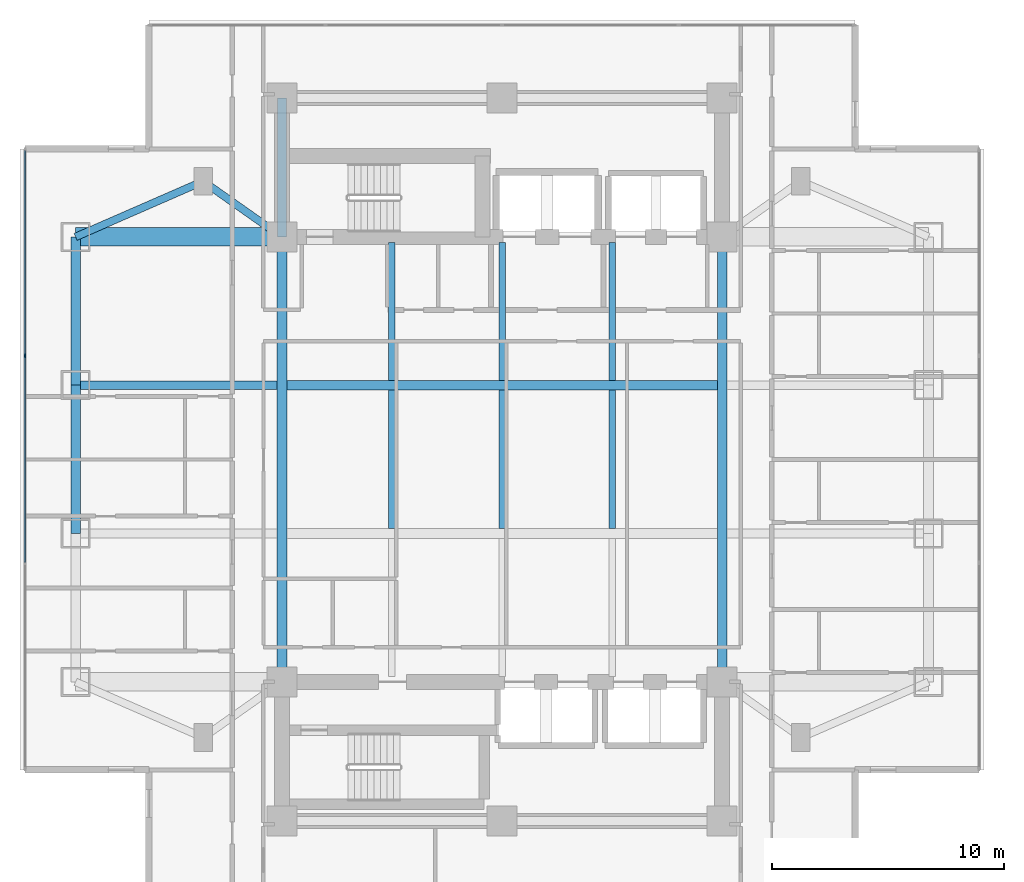
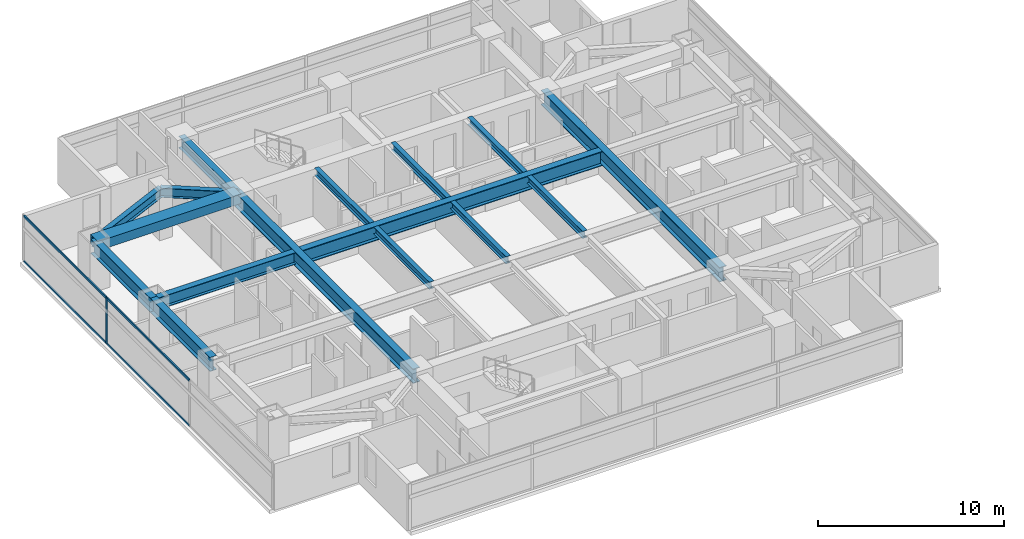
# One storey, part 3 of 27: 16 beams, 5 members, 1 element without a shape of its own.
"""IFC4 building model written with IfcOpenShell, lengths in metres."""

import ifcopenshell
import ifcopenshell.guid

model = None  # the IFC model being written
_history = None  # IfcOwnerHistory: only IFC2X3 demands one
_inside = {}  # id of a spatial element -> (the spatial element, [elements in it])
_under = {}  # id of a project, library or spatial element -> (it, [spatial elements below it])
_declared = {}  # id of a project -> (the project, [libraries it declares])
_typed = {}  # id of a type object -> (the type object, [elements of that type])
_made_of = {}  # id of a material, layer set ... -> (it, [elements and type objects made of it])


def new_model(schema):
    """Start an empty IFC model of exactly this schema.

    Asked for "IFC4X3", IfcOpenShell would pick the latest addendum, in which some entities
    have other attributes; the version numbers below select the first issue.
    IFC2X3 requires an IfcOwnerHistory on every rooted entity: one is made here for all.
    """
    global model, _history
    if schema == "IFC4X3":
        model = ifcopenshell.file(schema_version=(4, 3, 0, 0))
    else:
        model = ifcopenshell.file(schema=schema)
    _inside.clear()
    _under.clear()
    _declared.clear()
    _typed.clear()
    _made_of.clear()
    _history = None
    if model.schema == "IFC2X3":
        org = make("IfcOrganization", Name="unknown")
        user = make(
            "IfcPersonAndOrganization",
            ThePerson=make("IfcPerson", FamilyName="unknown"),
            TheOrganization=org,
        )
        app = make(
            "IfcApplication",
            ApplicationDeveloper=org,
            Version="unknown",
            ApplicationFullName="unknown",
            ApplicationIdentifier="unknown",
        )
        _history = make(
            "IfcOwnerHistory",
            OwningUser=user,
            OwningApplication=app,
            ChangeAction="ADDED",
            CreationDate=0,
        )
    return model


def make(cls, **values):
    """One entity of the class cls with the attributes given. An attribute that is None is left unset."""
    return model.create_entity(
        cls, **{name: value for name, value in values.items() if value is not None}
    )


def rooted(cls, **values):
    """An entity with a GlobalId (a new one), such as an element, a storey or a relation."""
    return make(cls, GlobalId=ifcopenshell.guid.new(), OwnerHistory=_history, **values)


def si_unit(unit_type, name, prefix=None):
    """IfcSIUnit, for example si_unit("LENGTHUNIT", "METRE", prefix="MILLI")."""
    return make("IfcSIUnit", UnitType=unit_type, Prefix=prefix, Name=name)


def assignment(units):
    """IfcUnitAssignment: the units of a project."""
    return None if units is None else make("IfcUnitAssignment", Units=units)


def point(xyz):
    """IfcCartesianPoint."""
    return None if xyz is None else make("IfcCartesianPoint", Coordinates=xyz)


def direction(xyz):
    """IfcDirection."""
    return None if xyz is None else make("IfcDirection", DirectionRatios=xyz)


def frame(location, z_axis=None, x_axis=None):
    """IfcAxis2Placement3D, a coordinate frame: its origin and axes. An axis left out is left unset."""
    return make(
        "IfcAxis2Placement3D",
        Location=point(location),
        Axis=direction(z_axis),
        RefDirection=direction(x_axis),
    )


def frame_2d(location, x_axis=None):
    """IfcAxis2Placement2D, a coordinate frame in the plane: its origin and x axis."""
    return make(
        "IfcAxis2Placement2D", Location=point(location), RefDirection=direction(x_axis)
    )


def origin():
    """The frame at (0, 0, 0) with its axes left unset."""
    return frame((0.0, 0.0, 0.0))


def origin_2d():
    """The frame at (0, 0) in the plane with its x axis left unset."""
    return frame_2d((0.0, 0.0))


def place(relative_to, where):
    """IfcLocalPlacement: puts the frame where relative to a parent placement (None: the world)."""
    return make(
        "IfcLocalPlacement", PlacementRelTo=relative_to, RelativePlacement=where
    )


def context(
    kind, dimensions, precision=None, world=None, true_north=None, identifier=None
):
    """IfcGeometricRepresentationContext, for example the 3D "Model" context."""
    return make(
        "IfcGeometricRepresentationContext",
        ContextIdentifier=identifier,
        ContextType=kind,
        CoordinateSpaceDimension=dimensions,
        Precision=precision,
        WorldCoordinateSystem=world,
        TrueNorth=true_north,
    )


def subcontext(parent, identifier, kind, view, scale=None):
    """IfcGeometricRepresentationSubContext, for example "Body" below "Model"."""
    return make(
        "IfcGeometricRepresentationSubContext",
        ContextIdentifier=identifier,
        ContextType=kind,
        ParentContext=parent,
        TargetScale=scale,
        TargetView=view,
    )


def project(units=None, contexts=None):
    """IfcProject with its units and contexts."""
    return rooted(
        "IfcProject",
        Name="project",
        RepresentationContexts=contexts,
        UnitsInContext=assignment(units),
    )


def spatial(cls, under=None, at=None, **own):
    """A site, building, storey or space (cls), placed at a placement, below another one or the project."""
    s = rooted(cls, ObjectPlacement=at, **own)
    if under is not None:
        _under.setdefault(under.id(), (under, []))[1].append(s)
    return s


def profile(cls, at=None, kind="AREA", **sizes):
    """A parametric profile (cls). Its sizes go by their IFC names, for example OverallWidth=200.0."""
    return make(cls, ProfileType=kind, Position=at, **sizes)


def rectangle(**sizes):
    """IfcRectangleProfileDef."""
    return profile("IfcRectangleProfileDef", **sizes)


def i_section(**sizes):
    """IfcIShapeProfileDef."""
    return profile("IfcIShapeProfileDef", **sizes)


def extrude(swept, where, along, depth):
    """IfcExtrudedAreaSolid: the profile swept, set in the frame where, extruded along a direction by depth."""
    return make(
        "IfcExtrudedAreaSolid",
        SweptArea=swept,
        Position=where,
        ExtrudedDirection=direction(along),
        Depth=depth,
    )


def shape(context_of_items, identifier, shape_type, items):
    """IfcShapeRepresentation: the items that make up one representation, for example the "Body"."""
    return make(
        "IfcShapeRepresentation",
        ContextOfItems=context_of_items,
        RepresentationIdentifier=identifier,
        RepresentationType=shape_type,
        Items=items,
    )


def material(Name=None, Category=None):
    """IfcMaterial."""
    return make("IfcMaterial", Name=Name, Category=Category)


def material_profile(
    of_material, cross_section, Name=None, Category=None, Priority=None
):
    """IfcMaterialProfile: a cross section and its material."""
    return make(
        "IfcMaterialProfile",
        Name=Name,
        Material=of_material,
        Profile=cross_section,
        Priority=Priority,
        Category=Category,
    )


def profile_set(profiles, Name=None, composite=None):
    """IfcMaterialProfileSet."""
    return make(
        "IfcMaterialProfileSet",
        Name=Name,
        MaterialProfiles=profiles,
        CompositeProfile=composite,
    )


def made_of(thing, what):
    """Note that an element or type object is made of a material, layer set ...; save() writes the relation."""
    if what is not None:
        _made_of.setdefault(what.id(), (what, []))[1].append(thing)
    return thing


def type_object(cls, material=None, **own):
    """A type object (cls), such as IfcWallType, which elements share."""
    return made_of(rooted(cls, **own), material)


def element(
    cls,
    number,
    at=None,
    inside=None,
    cuts=None,
    type_object=None,
    material=None,
    context=None,
    identifier="Body",
    shape_type=None,
    held_by="IfcProductDefinitionShape",
    body=None,
    shapes=None,
    **own,
):
    """One element of the class cls, such as IfcWall. Its Tag is "e" and its number.

    at: its placement. inside: the storey or other place that contains it. cuts: it is an
    opening in that element (IfcRelVoidsElement). A single representation is given by context,
    identifier, shape_type and body (its items); several are given by shapes. held_by: the class
    of the entity that holds the representations. save() writes the other relations.
    """
    e = rooted(cls, Tag="e%d" % number, ObjectPlacement=at, **own)
    if body is not None:
        shapes = [shape(context, identifier, shape_type, body)]
    if shapes is not None:
        e.Representation = make(held_by, Representations=shapes)
    if inside is not None:
        _inside.setdefault(inside.id(), (inside, []))[1].append(e)
    if cuts is not None:
        rooted(
            "IfcRelVoidsElement", RelatingBuildingElement=cuts, RelatedOpeningElement=e
        )
    if type_object is not None:
        _typed.setdefault(type_object.id(), (type_object, []))[1].append(e)
    return made_of(e, material)


def aggregate(whole, parts):
    """IfcRelAggregates: a whole, such as a stair, and the parts it consists of."""
    return rooted("IfcRelAggregates", RelatingObject=whole, RelatedObjects=parts)


def save(model, path):
    """Write the relations noted so far, then the file.

    IfcRelAggregates (storeys below a building ...), IfcRelContainedInSpatialStructure (elements
    in a storey), IfcRelDefinesByType, IfcRelAssociatesMaterial and IfcRelDeclares: one each for
    every whole, place, type object, material and project.
    """
    for whole, parts in _under.values():
        aggregate(whole, parts)
    for where, things in _inside.values():
        rooted(
            "IfcRelContainedInSpatialStructure",
            RelatedElements=things,
            RelatingStructure=where,
        )
    for kind, things in _typed.values():
        rooted("IfcRelDefinesByType", RelatedObjects=things, RelatingType=kind)
    for what, things in _made_of.values():
        rooted("IfcRelAssociatesMaterial", RelatedObjects=things, RelatingMaterial=what)
    for by, libraries in _declared.values():
        rooted("IfcRelDeclares", RelatingContext=by, RelatedDefinitions=libraries)
    model.write(path)


model = new_model("IFC4")

# Units and contexts
model_context = context("Model", 3, precision=1e-05, world=origin(), true_north=direction((0.0, 1.0)))
body_context = subcontext(model_context, "Body", "Model", "MODEL_VIEW")
ifc_project = project(units=[si_unit("LENGTHUNIT", "METRE"), si_unit("AREAUNIT", "SQUARE_METRE"), si_unit("VOLUMEUNIT", "CUBIC_METRE"), si_unit("PLANEANGLEUNIT", "RADIAN"), si_unit("MASSUNIT", "GRAM", prefix="KILO")], contexts=[model_context])

# Site, building, storey
site_placement = place(None, origin())
site = spatial("IfcSite", under=ifc_project, at=site_placement, CompositionType="ELEMENT")
building_placement = place(site_placement, origin())
building = spatial("IfcBuilding", under=site, at=building_placement, Name="Mirazonda Arch Towers", CompositionType="ELEMENT")
storey_placement = place(building_placement, frame((0.0, 0.0, 52.10009765625)))
storey = spatial("IfcBuildingStorey", under=building, at=storey_placement, Name="L14", CompositionType="ELEMENT", Elevation=52.10009765625)

# Beams
ifc_material_1 = material(Name="Steel ASTM A992 Grade 50", Category="steel")
ifc_material_profile_1 = material_profile(ifc_material_1, i_section(OverallWidth=0.41796875, OverallDepth=0.927001953125, WebThickness=0.019287109375, FlangeThickness=0.031982421875, at=origin_2d()), Name="W36X231")
ifc_profile_set_1 = profile_set([ifc_material_profile_1], Name="Steel ASTM A992 Grade 50")
beam_type_1 = type_object("IfcBeamType", Name="BM-EXT-W36X231", PredefinedType="USERDEFINED", material=ifc_profile_set_1)
beam_1_placement = place(storey_placement, frame((2.10009765625, 24.800048828125, 2.596435546875), z_axis=(0.0, 1.0, 0.0), x_axis=(-1.0, 0.0, 0.0)))
element("IfcBeam", 1, at=beam_1_placement, inside=storey, type_object=beam_type_1, Name="L14 Floor Beam BM-T1-L14-NS-W-24", ObjectType="GIRDER", PredefinedType="USERDEFINED", context=body_context, shape_type="SweptSolid", body=[
    extrude(i_section(OverallWidth=0.41796875, OverallDepth=0.927001953125, WebThickness=0.019287109375, FlangeThickness=0.031982421875, at=origin_2d()), origin(), (0.0, 0.0, 1.0), 6.39990234375),
])
beam_2_placement = place(storey_placement, frame((2.10009765625, 31.199951171875, 2.596435546875), z_axis=(0.0, 1.0, 0.0), x_axis=(-1.0, 0.0, 0.0)))
element("IfcBeam", 2, at=beam_2_placement, inside=storey, type_object=beam_type_1, Name="L14 Floor Beam BM-T1-L14-NS-W-31", ObjectType="GIRDER", PredefinedType="USERDEFINED", context=body_context, shape_type="SweptSolid", body=[
    extrude(i_section(OverallWidth=0.41796875, OverallDepth=0.927001953125, WebThickness=0.019287109375, FlangeThickness=0.031982421875, at=origin_2d()), origin(), (0.0, 0.0, 1.0), 6.400146484375),
])
ifc_material_profile_2 = material_profile(ifc_material_1, i_section(OverallWidth=0.280029296875, OverallDepth=0.462890625, WebThickness=0.0107421875, FlangeThickness=0.017333984375, at=origin_2d()), Name="W18X76")
ifc_profile_set_2 = profile_set([ifc_material_profile_2], Name="Steel ASTM A992 Grade 50")
beam_type_2 = type_object("IfcBeamType", Name="BM-INT-W18X76", PredefinedType="JOIST", material=ifc_profile_set_2)
beam_3_placement = place(storey_placement, frame((15.75, 31.407470703125, 2.828369140625), z_axis=(0.0, 1.0, 0.0), x_axis=(-1.0, 0.0, 0.0)))
element("IfcBeam", 3, at=beam_3_placement, inside=storey, type_object=beam_type_2, Name="L14 Floor Beam BM-T1-L14-J-157-31", PredefinedType="JOIST", context=body_context, shape_type="SweptSolid", body=[
    extrude(i_section(OverallWidth=0.280029296875, OverallDepth=0.462890625, WebThickness=0.0107421875, FlangeThickness=0.017333984375, at=origin_2d()), origin(), (0.0, 0.0, 1.0), 5.95263671875),
])
beam_4_placement = place(storey_placement, frame((15.75, 25.007568359375, 2.828369140625), z_axis=(0.0, 1.0, 0.0), x_axis=(-1.0, 0.0, 0.0)))
element("IfcBeam", 4, at=beam_4_placement, inside=storey, type_object=beam_type_2, Name="L14 Floor Beam BM-T1-L14-J-157-24", PredefinedType="JOIST", context=body_context, shape_type="SweptSolid", body=[
    extrude(i_section(OverallWidth=0.280029296875, OverallDepth=0.462890625, WebThickness=0.0107421875, FlangeThickness=0.017333984375, at=origin_2d()), origin(), (0.0, 0.0, 1.0), 5.98486328125),
])
beam_5_placement = place(storey_placement, frame((20.5, 31.407470703125, 2.828369140625), z_axis=(0.0, 1.0, 0.0), x_axis=(-1.0, 0.0, 0.0)))
element("IfcBeam", 5, at=beam_5_placement, inside=storey, type_object=beam_type_2, Name="L14 Floor Beam BM-T1-L14-J-205-31", PredefinedType="JOIST", context=body_context, shape_type="SweptSolid", body=[
    extrude(i_section(OverallWidth=0.280029296875, OverallDepth=0.462890625, WebThickness=0.0107421875, FlangeThickness=0.017333984375, at=origin_2d()), origin(), (0.0, 0.0, 1.0), 5.95263671875),
])
beam_6_placement = place(storey_placement, frame((20.5, 25.007568359375, 2.828369140625), z_axis=(0.0, 1.0, 0.0), x_axis=(-1.0, 0.0, 0.0)))
element("IfcBeam", 6, at=beam_6_placement, inside=storey, type_object=beam_type_2, Name="L14 Floor Beam BM-T1-L14-J-205-24", PredefinedType="JOIST", context=body_context, shape_type="SweptSolid", body=[
    extrude(i_section(OverallWidth=0.280029296875, OverallDepth=0.462890625, WebThickness=0.0107421875, FlangeThickness=0.017333984375, at=origin_2d()), origin(), (0.0, 0.0, 1.0), 5.98486328125),
])
beam_7_placement = place(storey_placement, frame((25.25, 31.407470703125, 2.828369140625), z_axis=(0.0, 1.0, 0.0), x_axis=(-1.0, 0.0, 0.0)))
element("IfcBeam", 7, at=beam_7_placement, inside=storey, type_object=beam_type_2, Name="L14 Floor Beam BM-T1-L14-J-252-31", PredefinedType="JOIST", context=body_context, shape_type="SweptSolid", body=[
    extrude(i_section(OverallWidth=0.280029296875, OverallDepth=0.462890625, WebThickness=0.0107421875, FlangeThickness=0.017333984375, at=origin_2d()), origin(), (0.0, 0.0, 1.0), 5.95263671875),
])
beam_8_placement = place(storey_placement, frame((25.25, 25.007568359375, 2.828369140625), z_axis=(0.0, 1.0, 0.0), x_axis=(-1.0, 0.0, 0.0)))
element("IfcBeam", 8, at=beam_8_placement, inside=storey, type_object=beam_type_2, Name="L14 Floor Beam BM-T1-L14-J-252-24", PredefinedType="JOIST", context=body_context, shape_type="SweptSolid", body=[
    extrude(i_section(OverallWidth=0.280029296875, OverallDepth=0.462890625, WebThickness=0.0107421875, FlangeThickness=0.017333984375, at=origin_2d()), origin(), (0.0, 0.0, 1.0), 5.98486328125),
])
ifc_material_profile_3 = material_profile(ifc_material_1, i_section(OverallWidth=0.324951171875, OverallDepth=0.615966796875, WebThickness=0.013916015625, FlangeThickness=0.021484375, at=origin_2d()), Name="W24X117")
ifc_profile_set_3 = profile_set([ifc_material_profile_3], Name="Steel ASTM A992 Grade 50")
beam_type_3 = type_object("IfcBeamType", Name="BM-INT-W24X117", PredefinedType="BEAM", material=ifc_profile_set_3)
beam_9_placement = place(storey_placement, frame((7.60009765625, 40.0, 2.751953125), z_axis=(0.816971114901, -0.576678591087, 0.0), x_axis=(0.576678591087, 0.816971114901, 0.0)))
element("IfcBeam", 9, at=beam_9_placement, inside=storey, type_object=beam_type_3, Name="L14 Floor Beam BM-T1-L14-PL-NW1", PredefinedType="BEAM", context=body_context, shape_type="SweptSolid", body=[
    extrude(i_section(OverallWidth=0.324951171875, OverallDepth=0.615966796875, WebThickness=0.013916015625, FlangeThickness=0.021484375, at=origin_2d()), origin(), (0.0, 0.0, 1.0), 4.16162109375),
])
beam_10_placement = place(storey_placement, frame((7.60009765625, 40.0, 2.751953125), z_axis=(-0.916545343703, -0.399930785183, 0.0), x_axis=(0.399930785183, -0.916545343703, 0.0)))
element("IfcBeam", 10, at=beam_10_placement, inside=storey, type_object=beam_type_3, Name="L14 Floor Beam BM-T1-L14-PL-NW2", PredefinedType="BEAM", context=body_context, shape_type="SweptSolid", body=[
    extrude(i_section(OverallWidth=0.324951171875, OverallDepth=0.615966796875, WebThickness=0.013916015625, FlangeThickness=0.021484375, at=origin_2d()), origin(), (0.0, 0.0, 1.0), 6.000732421875),
])
ifc_material_profile_4 = material_profile(ifc_material_1, i_section(OverallWidth=0.381103515625, OverallDepth=0.77294921875, WebThickness=0.0166015625, FlangeThickness=0.027099609375, at=origin_2d()), Name="W30X173")
ifc_profile_set_4 = profile_set([ifc_material_profile_4], Name="Steel ASTM A992 Grade 50")
beam_type_4 = type_object("IfcBeamType", Name="BM-INT-W30X173", PredefinedType="USERDEFINED", material=ifc_profile_set_4)
beam_11_placement = place(storey_placement, frame((2.10009765625, 31.199951171875, 2.67333984375), z_axis=(1.0, 0.0, 0.0), x_axis=(0.0, 1.0, 0.0)))
element("IfcBeam", 11, at=beam_11_placement, inside=storey, type_object=beam_type_4, Name="L14 Floor Beam BM-T1-L14-GW3", ObjectType="GIRDER", PredefinedType="USERDEFINED", context=body_context, shape_type="SweptSolid", body=[
    extrude(i_section(OverallWidth=0.381103515625, OverallDepth=0.77294921875, WebThickness=0.0166015625, FlangeThickness=0.027099609375, at=origin_2d()), origin(), (0.0, 0.0, 1.0), 8.6884765625),
])
beam_12_placement = place(storey_placement, frame((11.0, 37.60009765625, 2.67333984375), z_axis=(0.0, 1.0, 0.0), x_axis=(-1.0, 0.0, 0.0)))
element("IfcBeam", 12, at=beam_12_placement, inside=storey, type_object=beam_type_4, Name="L14 Floor Beam BM-T1-L14-CNW", ObjectType="GIRDER", PredefinedType="USERDEFINED", context=body_context, shape_type="SweptSolid", body=[
    extrude(i_section(OverallWidth=0.381103515625, OverallDepth=0.77294921875, WebThickness=0.0166015625, FlangeThickness=0.027099609375, at=origin_2d()), origin(), (0.0, 0.0, 1.0), 6.0),
])
ifc_material_profile_5 = material_profile(ifc_material_1, i_section(OverallWidth=0.423095703125, OverallDepth=0.947998046875, WebThickness=0.02392578125, FlangeThickness=0.042724609375, at=origin_2d()), Name="W36X302")
ifc_profile_set_5 = profile_set([ifc_material_profile_5], Name="Steel ASTM A992 Grade 50")
beam_type_5 = type_object("IfcBeamType", Name="BM-INT-W36X302", PredefinedType="USERDEFINED", material=ifc_profile_set_5)
beam_13_placement = place(storey_placement, frame((11.21142578125, 31.199951171875, 2.5859375), z_axis=(1.0, 0.0, 0.0), x_axis=(0.0, 1.0, 0.0)))
element("IfcBeam", 13, at=beam_13_placement, inside=storey, type_object=beam_type_5, Name="L14 Floor Beam BM-T1-L14-GC3", ObjectType="GIRDER", PredefinedType="USERDEFINED", context=body_context, shape_type="SweptSolid", body=[
    extrude(i_section(OverallWidth=0.423095703125, OverallDepth=0.947998046875, WebThickness=0.02392578125, FlangeThickness=0.042724609375, at=origin_2d()), origin(), (0.0, 0.0, 1.0), 18.5771484375),
])
for number, where, z_axis, x_axis, name in (
    (14, (11.0, 18.39990234375, 2.5859375), (0.0, 1.0, 0.0), (-1.0, 0.0, 0.0), "L14 Floor Beam BM-T1-L14-NS-CW-FULL"),
    (15, (30.0, 18.39990234375, 2.5859375), (0.0, 1.0, 0.0), (-1.0, 0.0, 0.0), "L14 Floor Beam BM-T1-L14-NS-CE-FULL"),
):
    element("IfcBeam", number, at=place(storey_placement, frame(where, z_axis=z_axis, x_axis=x_axis)), inside=storey, type_object=beam_type_5, Name=name, ObjectType="GIRDER", PredefinedType="USERDEFINED", context=body_context, shape_type="SweptSolid", body=[
        extrude(i_section(OverallWidth=0.423095703125, OverallDepth=0.947998046875, WebThickness=0.02392578125, FlangeThickness=0.042724609375, at=origin_2d()), origin(), (0.0, 0.0, 1.0), 19.2001953125),
    ])
ifc_material_2 = material(Name="Concrete C60/75", Category="concrete")
ifc_material_profile_6 = material_profile(ifc_material_2, rectangle(XDim=0.800048828125, YDim=0.60009765625, at=origin_2d()), Name="RCCB800x600")
ifc_profile_set_6 = profile_set([ifc_material_profile_6], Name="Concrete C60/75")
beam_type_6 = type_object("IfcBeamType", Name="CB-INT-RCCB800x600", PredefinedType="SPANDREL", material=ifc_profile_set_6)
beam_14_placement = place(storey_placement, frame((2.10009765625, 37.60009765625, 2.760009765625), z_axis=(1.0, 0.0, 0.0), x_axis=(0.0, 1.0, 0.0)))
element("IfcBeam", 16, at=beam_14_placement, inside=storey, type_object=beam_type_6, Name="L14 Floor Beam CBC-T1-L14-NW", PredefinedType="SPANDREL", context=body_context, shape_type="SweptSolid", body=[
    extrude(rectangle(XDim=0.800048828125, YDim=0.60009765625, at=origin_2d()), origin(), (0.0, 0.0, 1.0), 8.89990234375),
])

# Curtain wall, members
ifc_material_3 = material(Name="Anodised Aluminium and Low-E Glass", Category="aluminium")
curtain_wall_type = type_object("IfcCurtainWallType", Name="CW-HTL-UNIT", PredefinedType="NOTDEFINED", material=ifc_material_3)
curtain_wall_placement = place(storey_placement, origin())
curtain_wall = element("IfcCurtainWall", 17, at=curtain_wall_placement, inside=storey, type_object=curtain_wall_type, Name="L14 T1 W Facade CW-L14-T1-W", PredefinedType="NOTDEFINED")
ifc_material_4 = material(Name="Anodised Aluminium Alloy", Category="aluminium")
ifc_material_profile_7 = material_profile(ifc_material_4, rectangle(XDim=0.074951171875, YDim=0.1650390625, at=origin_2d()), Name="ALU-MULL-75x165")
ifc_profile_set_7 = profile_set([ifc_material_profile_7], Name="Anodised Aluminium Alloy")
member_type_1 = type_object("IfcMemberType", Name="MULL-CW-HTL-UNIT", PredefinedType="MULLION", material=ifc_profile_set_7)
member_1_placement = place(storey_placement, frame((-0.080078125, 32.466552734375, 0.0), z_axis=(0.0, 0.0, 1.0), x_axis=(1.0, 0.0, 0.0)))
member_1 = element("IfcMember", 18, at=member_1_placement, type_object=member_type_1, Name="CW-112 mullion 2", PredefinedType="MULLION", context=body_context, shape_type="SweptSolid", body=[
    extrude(rectangle(XDim=0.074951171875, YDim=0.1650390625, at=origin_2d()), origin(), (0.0, 0.0, 1.0), 3.039794921875),
])
ifc_material_profile_8 = material_profile(ifc_material_4, rectangle(XDim=0.074951171875, YDim=0.14501953125, at=origin_2d()), Name="ALU-TRAN-75x145")
ifc_profile_set_8 = profile_set([ifc_material_profile_8], Name="Anodised Aluminium Alloy")
member_type_2 = type_object("IfcMemberType", Name="TRAN-CW-HTL-UNIT", PredefinedType="USERDEFINED", material=ifc_profile_set_8)
member_2_placement = place(storey_placement, frame((-0.080078125, 41.324951171875, 0.037353515625), z_axis=(0.0, -1.0, 0.0), x_axis=(1.0, 0.0, 0.0)))
member_2 = element("IfcMember", 19, at=member_2_placement, type_object=member_type_2, Name="CW-112 transom 1.1", ObjectType="TRANSOM", PredefinedType="USERDEFINED", context=body_context, shape_type="SweptSolid", body=[
    extrude(rectangle(XDim=0.074951171875, YDim=0.14501953125, at=origin_2d()), origin(), (0.0, 0.0, 1.0), 8.82080078125),
])
member_3_placement = place(storey_placement, frame((-0.080078125, 41.324951171875, 3.00244140625), z_axis=(0.0, -1.0, 0.0), x_axis=(1.0, 0.0, 0.0)))
member_3 = element("IfcMember", 20, at=member_3_placement, type_object=member_type_2, Name="CW-112 transom 1.2", ObjectType="TRANSOM", PredefinedType="USERDEFINED", context=body_context, shape_type="SweptSolid", body=[
    extrude(rectangle(XDim=0.074951171875, YDim=0.14501953125, at=origin_2d()), origin(), (0.0, 0.0, 1.0), 8.82080078125),
])
member_4_placement = place(storey_placement, frame((-0.080078125, 32.42919921875, 0.037353515625), z_axis=(0.0, -1.0, 0.0), x_axis=(1.0, 0.0, 0.0)))
member_4 = element("IfcMember", 21, at=member_4_placement, type_object=member_type_2, Name="CW-112 transom 2.1", ObjectType="TRANSOM", PredefinedType="USERDEFINED", context=body_context, shape_type="SweptSolid", body=[
    extrude(rectangle(XDim=0.074951171875, YDim=0.14501953125, at=origin_2d()), origin(), (0.0, 0.0, 1.0), 8.8583984375),
])
member_5_placement = place(storey_placement, frame((-0.080078125, 32.42919921875, 3.00244140625), z_axis=(0.0, -1.0, 0.0), x_axis=(1.0, 0.0, 0.0)))
member_5 = element("IfcMember", 22, at=member_5_placement, type_object=member_type_2, Name="CW-112 transom 2.2", ObjectType="TRANSOM", PredefinedType="USERDEFINED", context=body_context, shape_type="SweptSolid", body=[
    extrude(rectangle(XDim=0.074951171875, YDim=0.14501953125, at=origin_2d()), origin(), (0.0, 0.0, 1.0), 8.8583984375),
])
aggregate(curtain_wall, [member_1, member_2, member_3, member_4, member_5])

save(model, "model.ifc")
